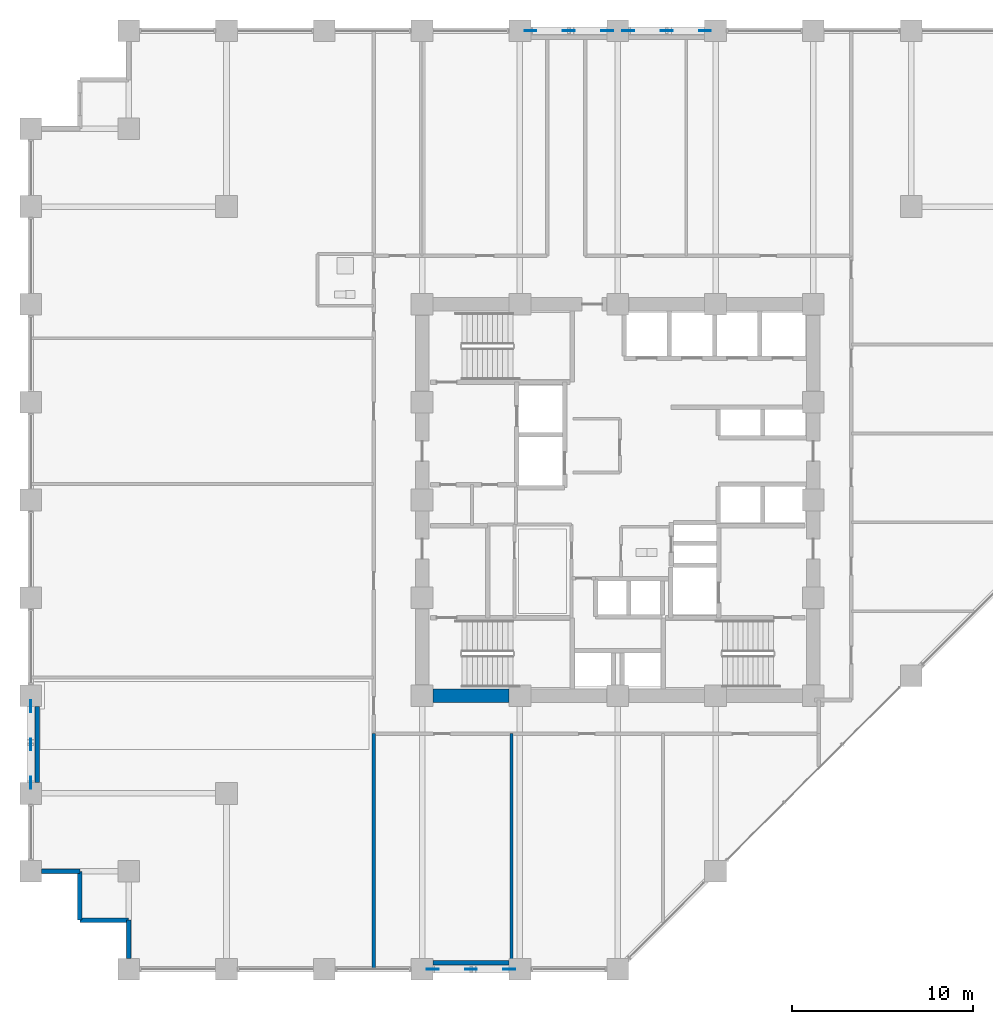
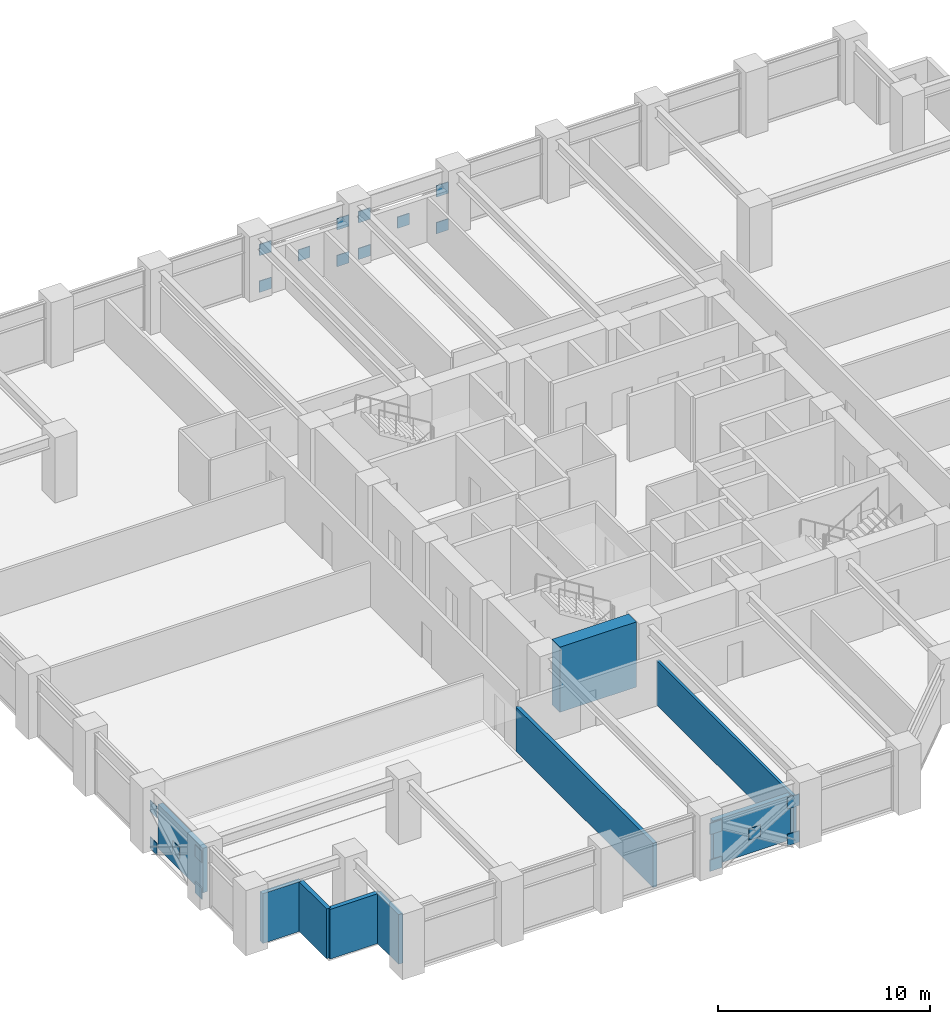
# One storey, part 19 of 26: 20 plates, 9 walls.
"""IFC4 building model written with IfcOpenShell, lengths in metres."""

from ifc_helpers import new_model, si_unit, direction, frame, frame_2d, origin, origin_2d, place, context, subcontext, project, spatial, rectangle, extrude, material, layer, layer_set, type_object, element, save


model = new_model("IFC4")

# Units and contexts
model_context = context("Model", 3, precision=1e-05, world=origin(), true_north=direction((0.0, 1.0)))
body_context = subcontext(model_context, "Body", "Model", "MODEL_VIEW")
ifc_project = project(units=[si_unit("LENGTHUNIT", "METRE"), si_unit("AREAUNIT", "SQUARE_METRE"), si_unit("VOLUMEUNIT", "CUBIC_METRE"), si_unit("PLANEANGLEUNIT", "RADIAN"), si_unit("MASSUNIT", "GRAM", prefix="KILO")], contexts=[model_context])

# Site, building, storey
site_placement = place(None, origin())
site = spatial("IfcSite", under=ifc_project, at=site_placement, CompositionType="ELEMENT")
building_placement = place(site_placement, origin())
building = spatial("IfcBuilding", under=site, at=building_placement, Name="Surkhivell Harbour Commons", CompositionType="ELEMENT")
storey_placement = place(building_placement, frame((0.0, 0.0, 75.0)))
storey = spatial("IfcBuildingStorey", under=building, at=storey_placement, Name="L19", CompositionType="ELEMENT", Elevation=75.0)

# Plates
ifc_material_1 = material(Name="Steel S460", Category="steel")
ifc_layer_1 = layer(ifc_material_1, 0.044921875)
ifc_layer_set_1 = layer_set([ifc_layer_1], Name="Steel S460")
plate_type = type_object("IfcPlateType", Name="PLT-GUS-650", PredefinedType="USERDEFINED", material=ifc_layer_set_1)
for number, where, z_axis, x_axis, name in (
    (1, (-4.81494140625, 25.89990234375, -0.08935546875), (0.0, 0.0, 1.0), (1.0, 0.0, 0.0), "L19 Perimeter Mega-Brace MB- Corner Gusset N-1"),
    (2, (-0.5849609375, 25.89990234375, -0.08935546875), (0.0, 0.0, 1.0), (1.0, 0.0, 0.0), "L19 Perimeter Mega-Brace MB- Corner Gusset N-2"),
    (3, (-4.81494140625, 25.89990234375, 2.024658203125), (0.0, 0.0, 1.0), (1.0, 0.0, 0.0), "L19 Perimeter Mega-Brace MB- Corner Gusset N-3"),
    (4, (-0.5849609375, 25.89990234375, 2.024658203125), (0.0, 0.0, 1.0), (1.0, 0.0, 0.0), "L19 Perimeter Mega-Brace MB- Corner Gusset N-4"),
    (5, (-2.699951171875, 25.89990234375, 0.967529296875), (0.0, 0.0, 1.0), (1.0, 0.0, 0.0), "L19 Perimeter Mega-Brace MB- Central Crossing Gusset N"),
    (6, (0.5849609375, 25.89990234375, -0.08935546875), (0.0, 0.0, 1.0), (1.0, 0.0, 0.0), "L19 Perimeter Mega-Brace MB- Corner Gusset N2-1"),
    (7, (4.81494140625, 25.89990234375, -0.08935546875), (0.0, 0.0, 1.0), (1.0, 0.0, 0.0), "L19 Perimeter Mega-Brace MB- Corner Gusset N2-2"),
    (8, (0.5849609375, 25.89990234375, 2.024658203125), (0.0, 0.0, 1.0), (1.0, 0.0, 0.0), "L19 Perimeter Mega-Brace MB- Corner Gusset N2-3"),
    (9, (4.81494140625, 25.89990234375, 2.024658203125), (0.0, 0.0, 1.0), (1.0, 0.0, 0.0), "L19 Perimeter Mega-Brace MB- Corner Gusset N2-4"),
    (10, (2.699951171875, 25.89990234375, 0.967529296875), (0.0, 0.0, 1.0), (1.0, 0.0, 0.0), "L19 Perimeter Mega-Brace MB- Central Crossing Gusset N2"),
    (11, (-10.215087890625, -25.89990234375, -0.08935546875), (0.0, 0.0, 1.0), (1.0, 0.0, 0.0), "L19 Perimeter Mega-Brace MB- Corner Gusset S-1"),
    (12, (-5.985107421875, -25.89990234375, -0.08935546875), (0.0, 0.0, 1.0), (1.0, 0.0, 0.0), "L19 Perimeter Mega-Brace MB- Corner Gusset S-2"),
    (13, (-10.215087890625, -25.89990234375, 2.024658203125), (0.0, 0.0, 1.0), (1.0, 0.0, 0.0), "L19 Perimeter Mega-Brace MB- Corner Gusset S-3"),
    (14, (-5.985107421875, -25.89990234375, 2.024658203125), (0.0, 0.0, 1.0), (1.0, 0.0, 0.0), "L19 Perimeter Mega-Brace MB- Corner Gusset S-4"),
    (15, (-8.10009765625, -25.89990234375, 0.967529296875), (0.0, 0.0, 1.0), (1.0, 0.0, 0.0), "L19 Perimeter Mega-Brace MB- Central Crossing Gusset S"),
    (16, (-32.39990234375, -15.614990234375, -0.08935546875), (0.0, 0.0, 1.0), (0.0, 1.0, 0.0), "L19 Perimeter Mega-Brace MB- Corner Gusset W-1"),
    (17, (-32.39990234375, -11.385009765625, -0.08935546875), (0.0, 0.0, 1.0), (0.0, 1.0, 0.0), "L19 Perimeter Mega-Brace MB- Corner Gusset W-2"),
    (18, (-32.39990234375, -15.614990234375, 2.024658203125), (0.0, 0.0, 1.0), (0.0, 1.0, 0.0), "L19 Perimeter Mega-Brace MB- Corner Gusset W-3"),
    (19, (-32.39990234375, -11.385009765625, 2.024658203125), (0.0, 0.0, 1.0), (0.0, 1.0, 0.0), "L19 Perimeter Mega-Brace MB- Corner Gusset W-4"),
    (20, (-32.39990234375, -13.5, 0.967529296875), (0.0, 0.0, 1.0), (0.0, 1.0, 0.0), "L19 Perimeter Mega-Brace MB- Central Crossing Gusset W"),
):
    element("IfcPlate", number, at=place(storey_placement, frame(where, z_axis=z_axis, x_axis=x_axis)), inside=storey, type_object=plate_type, Name=name, ObjectType="GUSSET_PLATE", PredefinedType="USERDEFINED", context=body_context, shape_type="SweptSolid", body=[
        extrude(rectangle(XDim=0.64990234375, YDim=0.044921875, at=origin_2d()), origin(), (0.0, 0.0, 1.0), 0.64990234375),
    ])

# Walls
ifc_material_2 = material(Name="Concrete C60/75", Category="concrete")
ifc_layer_2 = layer(ifc_material_2, 0.75)
ifc_layer_set_2 = layer_set([ifc_layer_2], Name="Concrete C60/75")
wall_type_1 = type_object("IfcWallType", Name="WAL-CORE-750", PredefinedType="SHEAR", material=ifc_layer_set_2)
wall_1_placement = place(storey_placement, frame((-10.18994140625, -10.800048828125, 0.0), z_axis=(0.0, 0.0, 1.0), x_axis=(1.0, 0.0, 0.0)))
element("IfcWall", 21, at=wall_1_placement, inside=storey, type_object=wall_type_1, Name="L19 Core Shear Wall South 1", PredefinedType="SHEAR", context=body_context, shape_type="SweptSolid", body=[
    extrude(rectangle(XDim=4.179931640625, YDim=0.75, at=frame_2d((2.08984375, 0.0))), origin(), (0.0, 0.0, 1.0), 3.75),
])
ifc_material_3 = material(Name="Pale-metal insulated precast concrete C45/55", Category="concrete")
ifc_layer_3 = layer(ifc_material_3, 0.260009765625)
ifc_layer_set_3 = layer_set([ifc_layer_3], Name="Pale-metal insulated precast concrete C45/55")
wall_type_2 = type_object("IfcWallType", Name="WAL-EXT-MTL260", PredefinedType="STANDARD", material=ifc_layer_set_3)
wall_2_placement = place(storey_placement, frame((-10.201904296875, -25.5400390625, 0.0), z_axis=(0.0, 0.0, 1.0), x_axis=(1.0, 0.0, 0.0)))
element("IfcWall", 22, at=wall_2_placement, inside=storey, type_object=wall_type_2, Name="L19 Braced-Bay Insulated Spandrel Backing S", PredefinedType="STANDARD", context=body_context, shape_type="SweptSolid", body=[
    extrude(rectangle(XDim=4.203857421875, YDim=0.260009765625, at=frame_2d((2.10205078125, 0.0))), origin(), (0.0, 0.0, 1.0), 2.552978515625),
])
wall_3_placement = place(storey_placement, frame((-32.0400390625, -11.39794921875, 0.0), z_axis=(0.0, 0.0, 1.0), x_axis=(0.0, -1.0, 0.0)))
element("IfcWall", 23, at=wall_3_placement, inside=storey, type_object=wall_type_2, Name="L19 Braced-Bay Insulated Spandrel Backing W", PredefinedType="STANDARD", context=body_context, shape_type="SweptSolid", body=[
    extrude(rectangle(XDim=4.2041015625, YDim=0.260009765625, at=frame_2d((2.10205078125, 0.0))), origin(), (0.0, 0.0, 1.0), 2.552978515625),
])
ifc_material_4 = material(Name="Bronze-ochre cassette precast concrete C45/55", Category="concrete")
ifc_layer_4 = layer(ifc_material_4, 0.239990234375)
ifc_layer_set_4 = layer_set([ifc_layer_4], Name="Bronze-ochre cassette precast concrete C45/55")
wall_type_3 = type_object("IfcWallType", Name="WAL-EXT-OCH240", PredefinedType="STANDARD", material=ifc_layer_set_4)
wall_4_placement = place(storey_placement, frame((-31.802001953125, -20.5, 0.0), z_axis=(0.0, 0.0, 1.0), x_axis=(1.0, 0.0, 0.0)))
element("IfcWall", 24, at=wall_4_placement, inside=storey, type_object=wall_type_3, Name="L19 Serrated Corner Facade Wall 13", PredefinedType="STANDARD", context=body_context, shape_type="SweptSolid", body=[
    extrude(rectangle(XDim=2.10205078125, YDim=0.239990234375, at=frame_2d((1.051025390625, 0.0))), origin(), (0.0, 0.0, 1.0), 2.860107421875),
])
for number, where, z_axis, x_axis, name in (
    (25, (-29.699951171875, -20.5, 0.0), (0.0, 0.0, 1.0), (0.0, -1.0, 0.0), "L19 Serrated Corner Facade Wall 14"),
    (26, (-29.699951171875, -23.199951171875, 0.0), (0.0, 0.0, 1.0), (1.0, 0.0, 0.0), "L19 Serrated Corner Facade Wall 15"),
):
    element("IfcWall", number, at=place(storey_placement, frame(where, z_axis=z_axis, x_axis=x_axis)), inside=storey, type_object=wall_type_3, Name=name, PredefinedType="STANDARD", context=body_context, shape_type="SweptSolid", body=[
        extrude(rectangle(XDim=2.699951171875, YDim=0.239990234375, at=frame_2d((1.35009765625, 0.0))), origin(), (0.0, 0.0, 1.0), 2.860107421875),
    ])
wall_5_placement = place(storey_placement, frame((-27.0, -23.199951171875, 0.0), z_axis=(0.0, 0.0, 1.0), x_axis=(0.0, -1.0, 0.0)))
element("IfcWall", 27, at=wall_5_placement, inside=storey, type_object=wall_type_3, Name="L19 Serrated Corner Facade Wall 16", PredefinedType="STANDARD", context=body_context, shape_type="SweptSolid", body=[
    extrude(rectangle(XDim=2.10205078125, YDim=0.239990234375, at=frame_2d((1.051025390625, 0.0))), origin(), (0.0, 0.0, 1.0), 2.860107421875),
])
ifc_material_5 = material(Name="Twin-stud acoustic fireboard partition", Category="other")
ifc_layer_5 = layer(ifc_material_5, 0.14990234375)
ifc_layer_set_5 = layer_set([ifc_layer_5], Name="Twin-stud acoustic fireboard partition")
wall_type_4 = type_object("IfcWallType", Name="WAL-INT-150", PredefinedType="PARTITIONING", material=ifc_layer_set_5)
wall_6_placement = place(storey_placement, frame((-5.860107421875, -25.840087890625, 0.0), z_axis=(0.0, 0.0, 1.0), x_axis=(0.0, 1.0, 0.0)))
element("IfcWall", 28, at=wall_6_placement, inside=storey, type_object=wall_type_4, Name="L19 South Partition P1", PredefinedType="PARTITIONING", context=body_context, shape_type="SweptSolid", body=[
    extrude(rectangle(XDim=12.940185546875, YDim=0.14990234375, at=frame_2d((6.47021484375, 0.0))), origin(), (0.0, 0.0, 1.0), 2.552978515625),
])
ifc_material_6 = material(Name="Autoclaved aerated concrete blockwork and fire plaster", Category="masonry")
ifc_layer_6 = layer(ifc_material_6, 0.199951171875)
ifc_layer_set_6 = layer_set([ifc_layer_6], Name="Autoclaved aerated concrete blockwork and fire plaster")
wall_type_5 = type_object("IfcWallType", Name="WAL-INT-200", PredefinedType="PARTITIONING", material=ifc_layer_set_6)
wall_7_placement = place(storey_placement, frame((-13.47998046875, -25.840087890625, 0.0), z_axis=(0.0, 0.0, 1.0), x_axis=(0.0, 1.0, 0.0)))
element("IfcWall", 29, at=wall_7_placement, inside=storey, type_object=wall_type_5, Name="L19 South-West Wing Corner Divider", PredefinedType="PARTITIONING", context=body_context, shape_type="SweptSolid", body=[
    extrude(rectangle(XDim=12.940185546875, YDim=0.199951171875, at=frame_2d((6.47021484375, 0.0))), origin(), (0.0, 0.0, 1.0), 2.552978515625),
])

save(model, "model.ifc")
